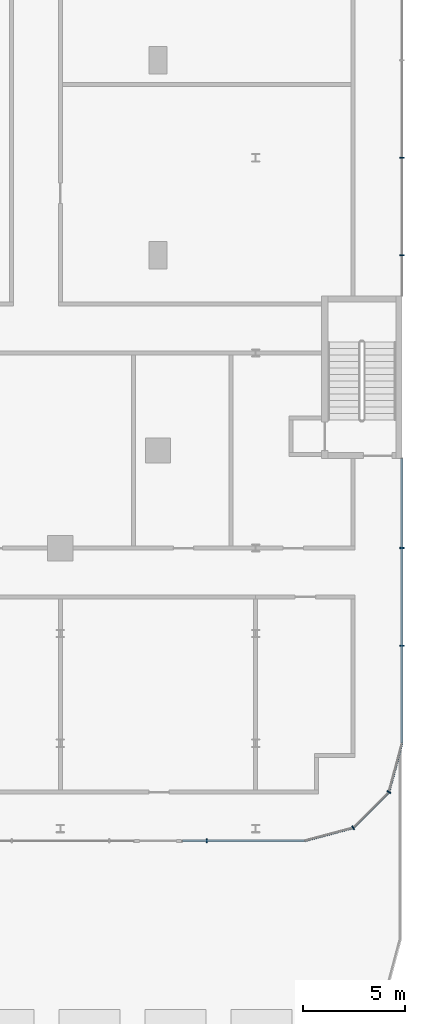
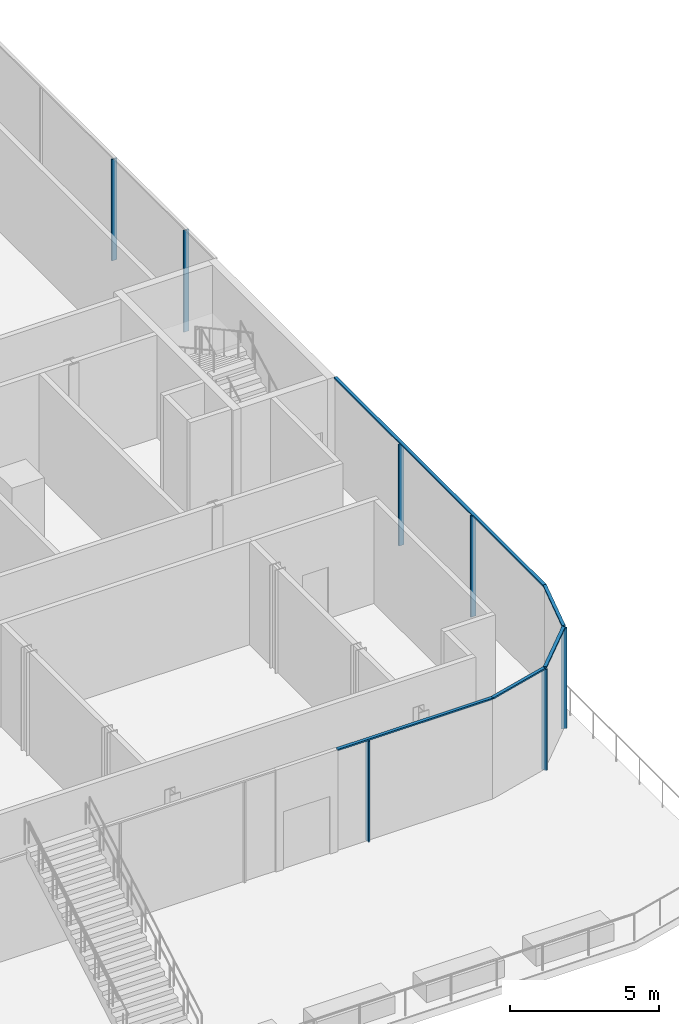
# One storey, part 13 of 38: 12 members, 3 elements without a shape of their own.
"""IFC4 building model written with IfcOpenShell, lengths in metres."""

import ifcopenshell
import ifcopenshell.guid

model = None  # the IFC model being written
_history = None  # IfcOwnerHistory: only IFC2X3 demands one
_inside = {}  # id of a spatial element -> (the spatial element, [elements in it])
_under = {}  # id of a project, library or spatial element -> (it, [spatial elements below it])
_declared = {}  # id of a project -> (the project, [libraries it declares])
_typed = {}  # id of a type object -> (the type object, [elements of that type])
_made_of = {}  # id of a material, layer set ... -> (it, [elements and type objects made of it])


def new_model(schema):
    """Start an empty IFC model of exactly this schema.

    Asked for "IFC4X3", IfcOpenShell would pick the latest addendum, in which some entities
    have other attributes; the version numbers below select the first issue.
    IFC2X3 requires an IfcOwnerHistory on every rooted entity: one is made here for all.
    """
    global model, _history
    if schema == "IFC4X3":
        model = ifcopenshell.file(schema_version=(4, 3, 0, 0))
    else:
        model = ifcopenshell.file(schema=schema)
    _inside.clear()
    _under.clear()
    _declared.clear()
    _typed.clear()
    _made_of.clear()
    _history = None
    if model.schema == "IFC2X3":
        org = make("IfcOrganization", Name="unknown")
        user = make(
            "IfcPersonAndOrganization",
            ThePerson=make("IfcPerson", FamilyName="unknown"),
            TheOrganization=org,
        )
        app = make(
            "IfcApplication",
            ApplicationDeveloper=org,
            Version="unknown",
            ApplicationFullName="unknown",
            ApplicationIdentifier="unknown",
        )
        _history = make(
            "IfcOwnerHistory",
            OwningUser=user,
            OwningApplication=app,
            ChangeAction="ADDED",
            CreationDate=0,
        )
    return model


def make(cls, **values):
    """One entity of the class cls with the attributes given. An attribute that is None is left unset."""
    return model.create_entity(
        cls, **{name: value for name, value in values.items() if value is not None}
    )


def rooted(cls, **values):
    """An entity with a GlobalId (a new one), such as an element, a storey or a relation."""
    return make(cls, GlobalId=ifcopenshell.guid.new(), OwnerHistory=_history, **values)


def si_unit(unit_type, name, prefix=None):
    """IfcSIUnit, for example si_unit("LENGTHUNIT", "METRE", prefix="MILLI")."""
    return make("IfcSIUnit", UnitType=unit_type, Prefix=prefix, Name=name)


def assignment(units):
    """IfcUnitAssignment: the units of a project."""
    return None if units is None else make("IfcUnitAssignment", Units=units)


def point(xyz):
    """IfcCartesianPoint."""
    return None if xyz is None else make("IfcCartesianPoint", Coordinates=xyz)


def direction(xyz):
    """IfcDirection."""
    return None if xyz is None else make("IfcDirection", DirectionRatios=xyz)


def frame(location, z_axis=None, x_axis=None):
    """IfcAxis2Placement3D, a coordinate frame: its origin and axes. An axis left out is left unset."""
    return make(
        "IfcAxis2Placement3D",
        Location=point(location),
        Axis=direction(z_axis),
        RefDirection=direction(x_axis),
    )


def frame_2d(location, x_axis=None):
    """IfcAxis2Placement2D, a coordinate frame in the plane: its origin and x axis."""
    return make(
        "IfcAxis2Placement2D", Location=point(location), RefDirection=direction(x_axis)
    )


def origin():
    """The frame at (0, 0, 0) with its axes left unset."""
    return frame((0.0, 0.0, 0.0))


def origin_2d():
    """The frame at (0, 0) in the plane with its x axis left unset."""
    return frame_2d((0.0, 0.0))


def place(relative_to, where):
    """IfcLocalPlacement: puts the frame where relative to a parent placement (None: the world)."""
    return make(
        "IfcLocalPlacement", PlacementRelTo=relative_to, RelativePlacement=where
    )


def context(
    kind, dimensions, precision=None, world=None, true_north=None, identifier=None
):
    """IfcGeometricRepresentationContext, for example the 3D "Model" context."""
    return make(
        "IfcGeometricRepresentationContext",
        ContextIdentifier=identifier,
        ContextType=kind,
        CoordinateSpaceDimension=dimensions,
        Precision=precision,
        WorldCoordinateSystem=world,
        TrueNorth=true_north,
    )


def subcontext(parent, identifier, kind, view, scale=None):
    """IfcGeometricRepresentationSubContext, for example "Body" below "Model"."""
    return make(
        "IfcGeometricRepresentationSubContext",
        ContextIdentifier=identifier,
        ContextType=kind,
        ParentContext=parent,
        TargetScale=scale,
        TargetView=view,
    )


def project(units=None, contexts=None):
    """IfcProject with its units and contexts."""
    return rooted(
        "IfcProject",
        Name="project",
        RepresentationContexts=contexts,
        UnitsInContext=assignment(units),
    )


def spatial(cls, under=None, at=None, **own):
    """A site, building, storey or space (cls), placed at a placement, below another one or the project."""
    s = rooted(cls, ObjectPlacement=at, **own)
    if under is not None:
        _under.setdefault(under.id(), (under, []))[1].append(s)
    return s


def profile(cls, at=None, kind="AREA", **sizes):
    """A parametric profile (cls). Its sizes go by their IFC names, for example OverallWidth=200.0."""
    return make(cls, ProfileType=kind, Position=at, **sizes)


def rectangle(**sizes):
    """IfcRectangleProfileDef."""
    return profile("IfcRectangleProfileDef", **sizes)


def extrude(swept, where, along, depth):
    """IfcExtrudedAreaSolid: the profile swept, set in the frame where, extruded along a direction by depth."""
    return make(
        "IfcExtrudedAreaSolid",
        SweptArea=swept,
        Position=where,
        ExtrudedDirection=direction(along),
        Depth=depth,
    )


def shape(context_of_items, identifier, shape_type, items):
    """IfcShapeRepresentation: the items that make up one representation, for example the "Body"."""
    return make(
        "IfcShapeRepresentation",
        ContextOfItems=context_of_items,
        RepresentationIdentifier=identifier,
        RepresentationType=shape_type,
        Items=items,
    )


def material(Name=None, Category=None):
    """IfcMaterial."""
    return make("IfcMaterial", Name=Name, Category=Category)


def layer(
    of_material, thickness, ventilated=None, Name=None, Category=None, Priority=None
):
    """IfcMaterialLayer: one layer of a wall or slab, of a material (None: an air gap)."""
    return make(
        "IfcMaterialLayer",
        Material=of_material,
        LayerThickness=thickness,
        IsVentilated=ventilated,
        Name=Name,
        Category=Category,
        Priority=Priority,
    )


def layer_set(layers, Name=None):
    """IfcMaterialLayerSet."""
    return make("IfcMaterialLayerSet", MaterialLayers=layers, LayerSetName=Name)


def material_profile(
    of_material, cross_section, Name=None, Category=None, Priority=None
):
    """IfcMaterialProfile: a cross section and its material."""
    return make(
        "IfcMaterialProfile",
        Name=Name,
        Material=of_material,
        Profile=cross_section,
        Priority=Priority,
        Category=Category,
    )


def profile_set(profiles, Name=None, composite=None):
    """IfcMaterialProfileSet."""
    return make(
        "IfcMaterialProfileSet",
        Name=Name,
        MaterialProfiles=profiles,
        CompositeProfile=composite,
    )


def made_of(thing, what):
    """Note that an element or type object is made of a material, layer set ...; save() writes the relation."""
    if what is not None:
        _made_of.setdefault(what.id(), (what, []))[1].append(thing)
    return thing


def type_object(cls, material=None, **own):
    """A type object (cls), such as IfcWallType, which elements share."""
    return made_of(rooted(cls, **own), material)


def element(
    cls,
    number,
    at=None,
    inside=None,
    cuts=None,
    type_object=None,
    material=None,
    context=None,
    identifier="Body",
    shape_type=None,
    held_by="IfcProductDefinitionShape",
    body=None,
    shapes=None,
    **own,
):
    """One element of the class cls, such as IfcWall. Its Tag is "e" and its number.

    at: its placement. inside: the storey or other place that contains it. cuts: it is an
    opening in that element (IfcRelVoidsElement). A single representation is given by context,
    identifier, shape_type and body (its items); several are given by shapes. held_by: the class
    of the entity that holds the representations. save() writes the other relations.
    """
    e = rooted(cls, Tag="e%d" % number, ObjectPlacement=at, **own)
    if body is not None:
        shapes = [shape(context, identifier, shape_type, body)]
    if shapes is not None:
        e.Representation = make(held_by, Representations=shapes)
    if inside is not None:
        _inside.setdefault(inside.id(), (inside, []))[1].append(e)
    if cuts is not None:
        rooted(
            "IfcRelVoidsElement", RelatingBuildingElement=cuts, RelatedOpeningElement=e
        )
    if type_object is not None:
        _typed.setdefault(type_object.id(), (type_object, []))[1].append(e)
    return made_of(e, material)


def aggregate(whole, parts):
    """IfcRelAggregates: a whole, such as a stair, and the parts it consists of."""
    return rooted("IfcRelAggregates", RelatingObject=whole, RelatedObjects=parts)


def save(model, path):
    """Write the relations noted so far, then the file.

    IfcRelAggregates (storeys below a building ...), IfcRelContainedInSpatialStructure (elements
    in a storey), IfcRelDefinesByType, IfcRelAssociatesMaterial and IfcRelDeclares: one each for
    every whole, place, type object, material and project.
    """
    for whole, parts in _under.values():
        aggregate(whole, parts)
    for where, things in _inside.values():
        rooted(
            "IfcRelContainedInSpatialStructure",
            RelatedElements=things,
            RelatingStructure=where,
        )
    for kind, things in _typed.values():
        rooted("IfcRelDefinesByType", RelatedObjects=things, RelatingType=kind)
    for what, things in _made_of.values():
        rooted("IfcRelAssociatesMaterial", RelatedObjects=things, RelatingMaterial=what)
    for by, libraries in _declared.values():
        rooted("IfcRelDeclares", RelatingContext=by, RelatedDefinitions=libraries)
    model.write(path)


model = new_model("IFC4")

# Units and contexts
model_context = context("Model", 3, precision=1e-05, world=origin(), true_north=direction((0.0, 1.0)))
body_context = subcontext(model_context, "Body", "Model", "MODEL_VIEW")
ifc_project = project(units=[si_unit("LENGTHUNIT", "METRE"), si_unit("AREAUNIT", "SQUARE_METRE"), si_unit("VOLUMEUNIT", "CUBIC_METRE"), si_unit("PLANEANGLEUNIT", "RADIAN"), si_unit("MASSUNIT", "GRAM", prefix="KILO")], contexts=[model_context])

# Site, building, storey
site_placement = place(None, origin())
site = spatial("IfcSite", under=ifc_project, at=site_placement, CompositionType="ELEMENT")
building_placement = place(site_placement, origin())
building = spatial("IfcBuilding", under=site, at=building_placement, Name="Madar Terraces", CompositionType="ELEMENT")
storey_placement = place(building_placement, frame((0.0, 0.0, 15.0)))
storey = spatial("IfcBuildingStorey", under=building, at=storey_placement, Name="L03", CompositionType="ELEMENT", Elevation=15.0)

# Curtain wall, member
ifc_material_1 = material(Name="Glass, clear low-iron, with black aluminium frame", Category="aluminium")
ifc_layer = layer(ifc_material_1, 0.199951171875)
ifc_layer_set = layer_set([ifc_layer], Name="Facade curtain wall, shopfront glazing")
curtain_wall_type = type_object("IfcCurtainWallType", Name="Facade curtain wall, shopfront glazing", PredefinedType="NOTDEFINED", material=ifc_layer_set)
curtain_wall_1_placement = place(storey_placement, origin())
curtain_wall_1 = element("IfcCurtainWall", 1, at=curtain_wall_1_placement, inside=storey, type_object=curtain_wall_type, Name="Outer skin curtain wall south bay 1", PredefinedType="NOTDEFINED")
ifc_material_2 = material(Name="Aluminium, black anodised", Category="aluminium")
ifc_material_profile_1 = material_profile(ifc_material_2, rectangle(XDim=0.199951171875, YDim=0.06005859375, at=origin_2d()), Name="Facade mullion 60x200")
ifc_profile_set_1 = profile_set([ifc_material_profile_1], Name="Aluminium, black anodised")
member_type_1 = type_object("IfcMemberType", Name="Facade mullion 60x200", PredefinedType="MULLION", material=ifc_profile_set_1)
member_1_placement = place(storey_placement, frame((60.0, -14.39990234375, 0.0), z_axis=(0.0, 0.0, 1.0), x_axis=(0.0, 1.0, 0.0)))
member_1 = element("IfcMember", 2, at=member_1_placement, type_object=member_type_1, Name="Mullion 13", PredefinedType="MULLION", context=body_context, shape_type="SweptSolid", body=[
    extrude(rectangle(XDim=0.199951171875, YDim=0.06005859375, at=origin_2d()), origin(), (0.0, 0.0, 1.0), 4.139892578125),
])

# Curtain wall, members
curtain_wall_2_placement = place(storey_placement, origin())
curtain_wall_2 = element("IfcCurtainWall", 3, at=curtain_wall_2_placement, inside=storey, type_object=curtain_wall_type, Name="Outer skin curtain wall east bay 1", PredefinedType="NOTDEFINED")
member_2_placement = place(storey_placement, frame((69.60009765625, -4.800048828125, 0.0), z_axis=(0.0, 0.0, 1.0), x_axis=(-1.0, 0.0, 0.0)))
member_2 = element("IfcMember", 4, at=member_2_placement, type_object=member_type_1, Name="Mullion 1", PredefinedType="MULLION", context=body_context, shape_type="SweptSolid", body=[
    extrude(rectangle(XDim=0.199951171875, YDim=0.06005859375, at=origin_2d()), origin(), (0.0, 0.0, 1.0), 4.139892578125),
])
member_3_placement = place(storey_placement, frame((69.60009765625, 0.0, 0.0), z_axis=(0.0, 0.0, 1.0), x_axis=(-1.0, 0.0, 0.0)))
member_3 = element("IfcMember", 5, at=member_3_placement, type_object=member_type_1, Name="Mullion 2", PredefinedType="MULLION", context=body_context, shape_type="SweptSolid", body=[
    extrude(rectangle(XDim=0.199951171875, YDim=0.06005859375, at=origin_2d()), origin(), (0.0, 0.0, 1.0), 4.139892578125),
])
member_4_placement = place(storey_placement, frame((69.60009765625, 14.39990234375, 0.0), z_axis=(0.0, 0.0, 1.0), x_axis=(-1.0, 0.0, 0.0)))
member_4 = element("IfcMember", 6, at=member_4_placement, type_object=member_type_1, Name="Mullion 3", PredefinedType="MULLION", context=body_context, shape_type="SweptSolid", body=[
    extrude(rectangle(XDim=0.199951171875, YDim=0.06005859375, at=origin_2d()), origin(), (0.0, 0.0, 1.0), 4.139892578125),
])
member_5_placement = place(storey_placement, frame((69.60009765625, 19.199951171875, 0.0), z_axis=(0.0, 0.0, 1.0), x_axis=(-1.0, 0.0, 0.0)))
member_5 = element("IfcMember", 7, at=member_5_placement, type_object=member_type_1, Name="Mullion 4", PredefinedType="MULLION", context=body_context, shape_type="SweptSolid", body=[
    extrude(rectangle(XDim=0.199951171875, YDim=0.06005859375, at=origin_2d()), origin(), (0.0, 0.0, 1.0), 4.139892578125),
])

curtain_wall_3_placement = place(storey_placement, origin())
curtain_wall_3 = element("IfcCurtainWall", 8, at=curtain_wall_3_placement, inside=storey, type_object=curtain_wall_type, Name="Outer skin curtain wall south-east corner", PredefinedType="NOTDEFINED")
member_6_placement = place(storey_placement, frame((67.199951171875, -13.7568359375, 0.0), z_axis=(0.0, 0.0, 1.0), x_axis=(-0.499999989586, 0.866025409797, 0.0)))
member_6 = element("IfcMember", 9, at=member_6_placement, type_object=member_type_1, Name="Mullion 1", PredefinedType="MULLION", context=body_context, shape_type="SweptSolid", body=[
    extrude(rectangle(XDim=0.199951171875, YDim=0.06005859375, at=origin_2d()), origin(), (0.0, 0.0, 1.0), 4.139892578125),
])
member_7_placement = place(storey_placement, frame((68.95703125, -12.0, 0.0), z_axis=(0.0, 0.0, 1.0), x_axis=(-0.866025409797, 0.499999989586, 0.0)))
member_7 = element("IfcMember", 10, at=member_7_placement, type_object=member_type_1, Name="Mullion 2", PredefinedType="MULLION", context=body_context, shape_type="SweptSolid", body=[
    extrude(rectangle(XDim=0.199951171875, YDim=0.06005859375, at=origin_2d()), origin(), (0.0, 0.0, 1.0), 4.139892578125),
])

# Member
ifc_material_3 = material(Name="Aluminium, black anodised", Category="aluminium")
ifc_material_profile_2 = material_profile(ifc_material_3, rectangle(XDim=0.1201171875, YDim=0.06005859375, at=origin_2d()), Name="Facade transom 60x120")
ifc_profile_set_2 = profile_set([ifc_material_profile_2], Name="Aluminium, black anodised")
member_type_2 = type_object("IfcMemberType", Name="Facade transom 60x120", PredefinedType="USERDEFINED", material=ifc_profile_set_2)
member_8_placement = place(storey_placement, frame((58.800048828125, -14.39990234375, 4.169921875), z_axis=(1.0, 0.0, 0.0), x_axis=(0.0, 1.0, 0.0)))
member_8 = element("IfcMember", 11, at=member_8_placement, type_object=member_type_2, Name="Transom 4", ObjectType="TRANSOM", PredefinedType="USERDEFINED", context=body_context, shape_type="SweptSolid", body=[
    extrude(rectangle(XDim=0.1201171875, YDim=0.06005859375, at=origin_2d()), origin(), (0.0, 0.0, 1.0), 6.0),
])

aggregate(curtain_wall_1, [member_1, member_8])

member_9_placement = place(storey_placement, frame((69.60009765625, -9.60009765625, 4.169921875), z_axis=(0.0, 1.0, 0.0), x_axis=(-1.0, 0.0, 0.0)))
member_9 = element("IfcMember", 12, at=member_9_placement, type_object=member_type_2, Name="Transom 1", ObjectType="TRANSOM", PredefinedType="USERDEFINED", context=body_context, shape_type="SweptSolid", body=[
    extrude(rectangle(XDim=0.1201171875, YDim=0.06005859375, at=origin_2d()), origin(), (0.0, 0.0, 1.0), 14.0),
])

aggregate(curtain_wall_2, [member_2, member_3, member_9, member_4, member_5])

member_10_placement = place(storey_placement, frame((64.800048828125, -14.39990234375, 4.169921875), z_axis=(0.965933846022, 0.258789113195, 0.0), x_axis=(-0.258789113195, 0.965933846022, 0.0)))
member_10 = element("IfcMember", 13, at=member_10_placement, type_object=member_type_2, Name="Transom 1", ObjectType="TRANSOM", PredefinedType="USERDEFINED", context=body_context, shape_type="SweptSolid", body=[
    extrude(rectangle(XDim=0.1201171875, YDim=0.06005859375, at=origin_2d()), origin(), (0.0, 0.0, 1.0), 2.454833984375),
])

member_11_placement = place(storey_placement, frame((67.22119140625, -13.735595703125, 4.169921875), z_axis=(0.707157125196, 0.707056433593, 0.0), x_axis=(-0.707056433593, 0.707157125196, 0.0)))
member_11 = element("IfcMember", 14, at=member_11_placement, type_object=member_type_2, Name="Transom 2", ObjectType="TRANSOM", PredefinedType="USERDEFINED", context=body_context, shape_type="SweptSolid", body=[
    extrude(rectangle(XDim=0.1201171875, YDim=0.06005859375, at=origin_2d()), origin(), (0.0, 0.0, 1.0), 2.424560546875),
])

member_12_placement = place(storey_placement, frame((68.964599609375, -11.970947265625, 4.169921875), z_axis=(0.258906778225, 0.965902313999, 0.0), x_axis=(-0.965902313999, 0.258906778225, 0.0)))
member_12 = element("IfcMember", 15, at=member_12_placement, type_object=member_type_2, Name="Transom 3", ObjectType="TRANSOM", PredefinedType="USERDEFINED", context=body_context, shape_type="SweptSolid", body=[
    extrude(rectangle(XDim=0.1201171875, YDim=0.06005859375, at=origin_2d()), origin(), (0.0, 0.0, 1.0), 2.45458984375),
])

aggregate(curtain_wall_3, [member_6, member_10, member_7, member_11, member_12])

save(model, "model.ifc")
